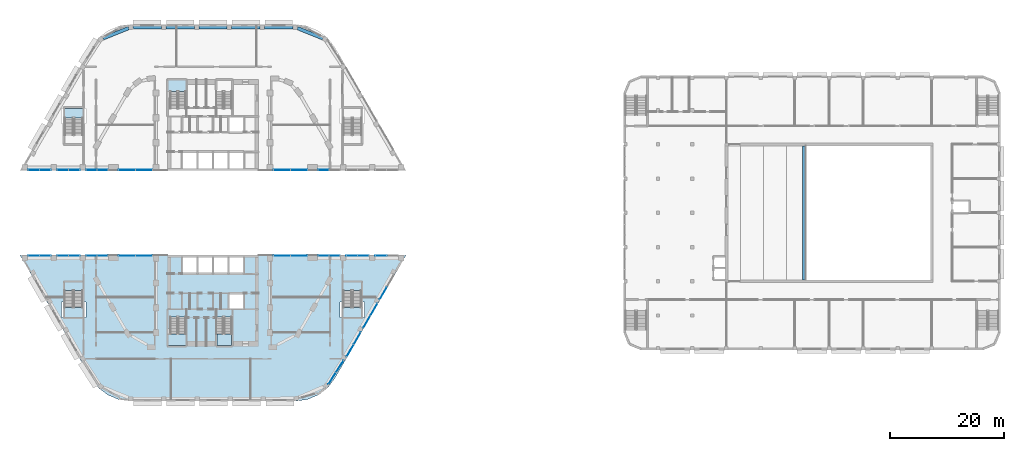
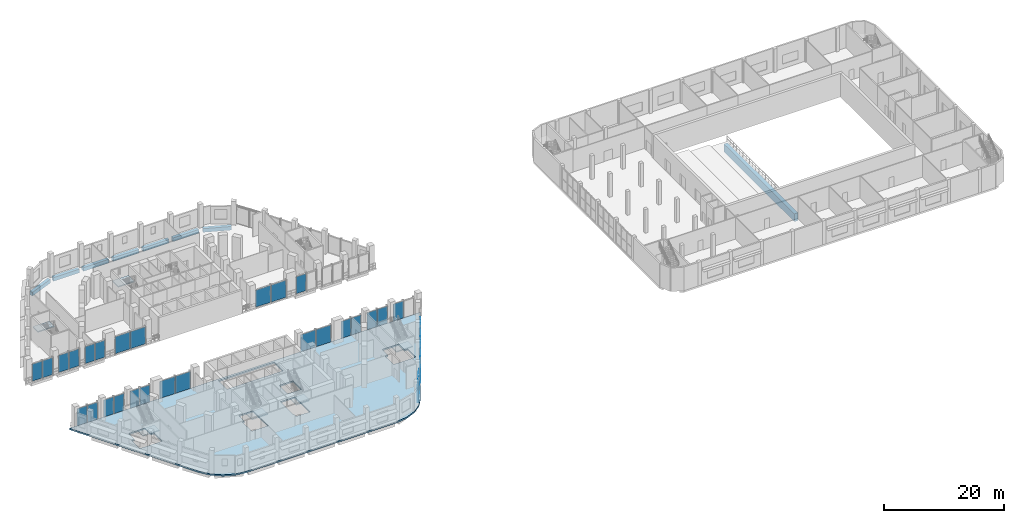
# One storey, part 12 of 45: 33 plates, 8 beams, 7 slabs, 24 elements without a shape of their own.
"""IFC4 building model written with IfcOpenShell, lengths in metres."""

from ifc_helpers import new_model, si_unit, direction, frame, origin, origin_2d, place, context, subcontext, project, spatial, polyline, rectangle, outline, extrude, material, layer, layer_set, material_profile, profile_set, type_object, element, aggregate, save


model = new_model("IFC4")

# Units and contexts
model_context = context("Model", 3, precision=1e-05, world=origin(), true_north=direction((0.0, 1.0)))
body_context = subcontext(model_context, "Body", "Model", "MODEL_VIEW")
ifc_project = project(units=[si_unit("LENGTHUNIT", "METRE"), si_unit("AREAUNIT", "SQUARE_METRE"), si_unit("VOLUMEUNIT", "CUBIC_METRE"), si_unit("PLANEANGLEUNIT", "RADIAN"), si_unit("MASSUNIT", "GRAM", prefix="KILO")], contexts=[model_context])

# Site, building, storey
site_placement = place(None, origin())
site = spatial("IfcSite", under=ifc_project, at=site_placement, CompositionType="ELEMENT")
building_placement = place(site_placement, origin())
building = spatial("IfcBuilding", under=site, at=building_placement, Name="Nakaniwa Court", CompositionType="ELEMENT")
storey_placement = place(building_placement, frame((0.0, 0.0, 6.60009765625)))
storey = spatial("IfcBuildingStorey", under=building, at=storey_placement, Name="L01", CompositionType="ELEMENT", Elevation=6.60009765625)

# Beams
ifc_material_1 = material(Name="Concrete C100/115", Category="concrete")
ifc_material_profile_1 = material_profile(ifc_material_1, rectangle(XDim=0.60009765625, YDim=0.75, at=origin_2d()), Name="Concrete C100/115 RC 600x750 ring beam")
ifc_profile_set_1 = profile_set([ifc_material_profile_1], Name="Concrete C100/115")
beam_type_1 = type_object("IfcBeamType", Name="Concrete C100/115 RC 600x750 ring beam", PredefinedType="BEAM", material=ifc_profile_set_1)
beam_1_placement = place(storey_placement, frame((65.212646484375, 112.39453125, -0.675048828125), z_axis=(-0.926515861433, -0.376255708945, 0.0), x_axis=(0.376255708945, -0.926515861433, 0.0)))
element("IfcBeam", 1, at=beam_1_placement, inside=storey, type_object=beam_type_1, Name="RING BEAM", PredefinedType="BEAM", context=body_context, shape_type="SweptSolid", body=[
    extrude(rectangle(XDim=0.60009765625, YDim=0.75, at=origin_2d()), origin(), (0.0, 0.0, 1.0), 4.857421875),
])
beam_2_placement = place(storey_placement, frame((99.276123046875, 110.575439453125, -0.675048828125), z_axis=(-0.926771165267, 0.375626419771, 0.0), x_axis=(-0.375626419771, -0.926771165267, 0.0)))
element("IfcBeam", 2, at=beam_2_placement, inside=storey, type_object=beam_type_1, Name="RING BEAM", PredefinedType="BEAM", context=body_context, shape_type="SweptSolid", body=[
    extrude(rectangle(XDim=0.60009765625, YDim=0.75, at=origin_2d()), origin(), (0.0, 0.0, 1.0), 4.8251953125),
])
beam_3_placement = place(storey_placement, frame((94.00439453125, 112.550048828125, -0.675048828125), z_axis=(-1.0, 0.0, 0.0), x_axis=(0.0, -1.0, 0.0)))
element("IfcBeam", 3, at=beam_3_placement, inside=storey, type_object=beam_type_1, Name="RING BEAM", PredefinedType="BEAM", context=body_context, shape_type="SweptSolid", body=[
    extrude(rectangle(XDim=0.60009765625, YDim=0.75, at=origin_2d()), origin(), (0.0, 0.0, 1.0), 4.9619140625),
])
beam_4_placement = place(storey_placement, frame((88.24267578125, 112.550048828125, -0.675048828125), z_axis=(-1.0, 0.0, 0.0), x_axis=(0.0, -1.0, 0.0)))
element("IfcBeam", 4, at=beam_4_placement, inside=storey, type_object=beam_type_1, Name="RING BEAM", PredefinedType="BEAM", context=body_context, shape_type="SweptSolid", body=[
    extrude(rectangle(XDim=0.60009765625, YDim=0.75, at=origin_2d()), origin(), (0.0, 0.0, 1.0), 4.961669921875),
])
beam_5_placement = place(storey_placement, frame((82.48095703125, 112.550048828125, -0.675048828125), z_axis=(-1.0, 0.0, 0.0), x_axis=(0.0, -1.0, 0.0)))
element("IfcBeam", 5, at=beam_5_placement, inside=storey, type_object=beam_type_1, Name="RING BEAM", PredefinedType="BEAM", context=body_context, shape_type="SweptSolid", body=[
    extrude(rectangle(XDim=0.60009765625, YDim=0.75, at=origin_2d()), origin(), (0.0, 0.0, 1.0), 4.9619140625),
])
beam_6_placement = place(storey_placement, frame((76.718994140625, 112.550048828125, -0.675048828125), z_axis=(-1.0, 0.0, 0.0), x_axis=(0.0, -1.0, 0.0)))
element("IfcBeam", 6, at=beam_6_placement, inside=storey, type_object=beam_type_1, Name="RING BEAM", PredefinedType="BEAM", context=body_context, shape_type="SweptSolid", body=[
    extrude(rectangle(XDim=0.60009765625, YDim=0.75, at=origin_2d()), origin(), (0.0, 0.0, 1.0), 4.961669921875),
])
beam_7_placement = place(storey_placement, frame((70.95751953125, 112.550048828125, -0.675048828125), z_axis=(-1.0, 0.0, 0.0), x_axis=(0.0, -1.0, 0.0)))
element("IfcBeam", 7, at=beam_7_placement, inside=storey, type_object=beam_type_1, Name="RING BEAM", PredefinedType="BEAM", context=body_context, shape_type="SweptSolid", body=[
    extrude(rectangle(XDim=0.60009765625, YDim=0.75, at=origin_2d()), origin(), (0.0, 0.0, 1.0), 4.958251953125),
])
ifc_material_2 = material(Name="Concrete C50/60", Category="concrete")
ifc_material_profile_2 = material_profile(ifc_material_2, rectangle(XDim=0.699951171875, YDim=1.60009765625, at=origin_2d()), Name="RC 700x1600")
ifc_profile_set_2 = profile_set([ifc_material_profile_2], Name="Concrete C50/60")
beam_type_2 = type_object("IfcBeamType", Name="Tier front beam RC 700x1600 C50/60", PredefinedType="BEAM", material=ifc_profile_set_2)
beam_8_placement = place(storey_placement, frame((183.64990234375, 68.25, -2.5), z_axis=(0.0, 1.0, 0.0), x_axis=(-1.0, 0.0, 0.0)))
element("IfcBeam", 8, at=beam_8_placement, inside=storey, type_object=beam_type_2, Name="Tier front beam L01", PredefinedType="BEAM", context=body_context, shape_type="SweptSolid", body=[
    extrude(rectangle(XDim=0.699951171875, YDim=1.60009765625, at=origin_2d()), origin(), (0.0, 0.0, 1.0), 23.5),
])

# Slab
ifc_layer_1 = layer(ifc_material_1, 0.300048828125)
ifc_layer_set_1 = layer_set([ifc_layer_1], Name="Concrete C100/115")
slab_type_1 = type_object("IfcSlabType", Name="Concrete C100/115 post tensioned floor slab 300", PredefinedType="FLOOR", material=ifc_layer_set_1)
slab_1_placement = place(storey_placement, frame((0.0, 0.0, -0.300048828125)))
element("IfcSlab", 9, at=slab_1_placement, inside=storey, type_object=slab_type_1, Name="FLOOR SLAB", PredefinedType="FLOOR", context=body_context, shape_type="SweptSolid", body=[
    extrude(outline(polyline([(101.362060546875, 51.0), (113.832763671875, 72.60009765625), (46.167236328125, 72.60009765625), (58.637939453125, 51.0), (59.909423828125, 49.343017578125), (61.566162109375, 48.07177734375), (63.49560546875, 47.272705078125), (65.566162109375, 47.0), (94.433837890625, 47.0), (96.50439453125, 47.272705078125), (98.433837890625, 48.07177734375), (100.090576171875, 49.343017578125), (101.362060546875, 51.0)]), holes=[polyline([(72.0849609375, 59.764892578125), (72.0849609375, 56.68505859375), (75.264892578125, 56.68505859375), (75.264892578125, 59.764892578125), (75.22509765625, 59.764892578125), (75.22509765625, 61.7099609375), (72.47509765625, 61.7099609375), (72.47509765625, 59.764892578125), (72.0849609375, 59.764892578125)]), polyline([(53.93505859375, 61.675048828125), (53.93505859375, 61.635009765625), (57.215087890625, 61.635009765625), (57.215087890625, 61.675048828125), (57.72509765625, 61.675048828125), (57.72509765625, 64.375), (57.215087890625, 64.375), (57.215087890625, 64.4150390625), (57.125, 64.4150390625), (57.125, 66.360107421875), (53.97509765625, 66.360107421875), (53.97509765625, 64.4150390625), (53.93505859375, 64.4150390625), (53.93505859375, 64.375), (53.425048828125, 64.375), (53.425048828125, 61.675048828125), (53.93505859375, 61.675048828125)]), polyline([(77.300048828125, 69.300048828125), (80.0, 69.300048828125), (82.699951171875, 69.300048828125), (85.39990234375, 69.300048828125), (85.39990234375, 72.199951171875), (82.699951171875, 72.199951171875), (80.0, 72.199951171875), (77.300048828125, 72.199951171875), (74.60009765625, 72.199951171875), (74.60009765625, 69.300048828125), (77.300048828125, 69.300048828125)]), polyline([(80.52490234375, 57.324951171875), (80.635009765625, 57.324951171875), (80.635009765625, 56.68505859375), (83.31494140625, 56.68505859375), (83.31494140625, 59.764892578125), (83.27490234375, 59.764892578125), (83.27490234375, 61.7099609375), (80.52490234375, 61.7099609375), (80.52490234375, 57.324951171875)]), polyline([(102.784912109375, 61.675048828125), (102.784912109375, 61.635009765625), (106.06494140625, 61.635009765625), (106.06494140625, 61.675048828125), (106.574951171875, 61.675048828125), (106.574951171875, 64.375), (106.06494140625, 64.375), (106.06494140625, 64.4150390625), (105.97509765625, 64.4150390625), (105.97509765625, 66.360107421875), (102.824951171875, 66.360107421875), (102.824951171875, 64.4150390625), (102.784912109375, 64.4150390625), (102.784912109375, 64.375), (102.27490234375, 64.375), (102.27490234375, 61.675048828125), (102.784912109375, 61.675048828125)]), polyline([(85.39990234375, 63.10009765625), (85.39990234375, 65.89990234375), (82.699951171875, 65.89990234375), (82.699951171875, 63.10009765625), (85.39990234375, 63.10009765625)])]), origin(), (0.0, 0.0, 1.0), 0.300048828125),
])

# Curtain wall, plates
ifc_material_3 = material(Name="Black anodised aluminium frame with dark low-E laminated double glazing", Category="aluminium")
ifc_layer_2 = layer(ifc_material_3, 0.199951171875)
ifc_layer_set_2 = layer_set([ifc_layer_2], Name="Black anodised aluminium frame with dark low-E laminated double glazing")
curtain_wall_type_1 = type_object("IfcCurtainWallType", Name="Podium unitised curtain wall", PredefinedType="NOTDEFINED", material=ifc_layer_set_2)
curtain_wall_1_placement = place(storey_placement, origin())
curtain_wall_1 = element("IfcCurtainWall", 10, at=curtain_wall_1_placement, inside=storey, type_object=curtain_wall_type_1, Name="L01 curtain wall CW1 00", PredefinedType="NOTDEFINED")
ifc_material_4 = material(Name="Dark toughened glass", Category="glass")
ifc_layer_3 = layer(ifc_material_4, 0.008, Name="Outer pane")
ifc_material_5 = material(Name="Argon filled cavity")
ifc_layer_4 = layer(ifc_material_5, 0.016, Name="Cavity")
ifc_material_6 = material(Name="Dark laminated safety glass", Category="glass")
ifc_layer_5 = layer(ifc_material_6, 0.008, Name="Inner pane")
ifc_layer_set_3 = layer_set([ifc_layer_3, ifc_layer_4, ifc_layer_5], Name="Dark low-E laminated double glazing")
plate_type_1 = type_object("IfcPlateType", Name="Podium unitised curtain wall glass panel", PredefinedType="CURTAIN_PANEL", material=ifc_layer_set_3)
plate_1_placement = place(storey_placement, frame((104.056640625, 55.8671875, 0.0498046875), z_axis=(0.0, 0.0, 1.0), x_axis=(0.499979299736, 0.866037354758, 0.0)))
plate_1 = element("IfcPlate", 11, at=plate_1_placement, type_object=plate_type_1, Name="CW1 panel 1.1", PredefinedType="CURTAIN_PANEL", context=body_context, shape_type="SweptSolid", body=[
    extrude(rectangle(XDim=2.40771484375, YDim=0.031982421875, at=origin_2d()), origin(), (0.0, 0.0, 1.0), 3.5),
])
plate_2_placement = place(storey_placement, frame((105.29296875, 58.008544921875, 0.0498046875), z_axis=(0.0, 0.0, 1.0), x_axis=(0.499979299736, 0.866037354758, 0.0)))
plate_2 = element("IfcPlate", 12, at=plate_2_placement, type_object=plate_type_1, Name="CW1 panel 2.1", PredefinedType="CURTAIN_PANEL", context=body_context, shape_type="SweptSolid", body=[
    extrude(rectangle(XDim=2.40771484375, YDim=0.031982421875, at=origin_2d()), origin(), (0.0, 0.0, 1.0), 3.5),
])
aggregate(curtain_wall_1, [plate_1, plate_2])

curtain_wall_2_placement = place(storey_placement, origin())
curtain_wall_2 = element("IfcCurtainWall", 13, at=curtain_wall_2_placement, inside=storey, type_object=curtain_wall_type_1, Name="L01 curtain wall CW1 01", PredefinedType="NOTDEFINED")
plate_3_placement = place(storey_placement, frame((106.957763671875, 60.89208984375, 0.0498046875), z_axis=(0.0, 0.0, 1.0), x_axis=(0.499987941889, 0.866032365426, 0.0)))
plate_3 = element("IfcPlate", 14, at=plate_3_placement, type_object=plate_type_1, Name="CW1 panel 1.1", PredefinedType="CURTAIN_PANEL", context=body_context, shape_type="SweptSolid", body=[
    extrude(rectangle(XDim=2.40771484375, YDim=0.031982421875, at=origin_2d()), origin(), (0.0, 0.0, 1.0), 3.5),
])
plate_4_placement = place(storey_placement, frame((108.194091796875, 63.033447265625, 0.0498046875), z_axis=(0.0, 0.0, 1.0), x_axis=(0.499987941889, 0.866032365426, 0.0)))
plate_4 = element("IfcPlate", 15, at=plate_4_placement, type_object=plate_type_1, Name="CW1 panel 2.1", PredefinedType="CURTAIN_PANEL", context=body_context, shape_type="SweptSolid", body=[
    extrude(rectangle(XDim=2.40771484375, YDim=0.031982421875, at=origin_2d()), origin(), (0.0, 0.0, 1.0), 3.5),
])
aggregate(curtain_wall_2, [plate_3, plate_4])

# Curtain wall, plate
curtain_wall_3_placement = place(storey_placement, origin())
curtain_wall_3 = element("IfcCurtainWall", 16, at=curtain_wall_3_placement, inside=storey, type_object=curtain_wall_type_1, Name="L01 curtain wall CW1 02", PredefinedType="NOTDEFINED")
plate_5_placement = place(storey_placement, frame((109.85888671875, 65.9169921875, 0.0498046875), z_axis=(0.0, 0.0, 1.0), x_axis=(0.500002911009, 0.866023723106, 0.0)))
plate_5 = element("IfcPlate", 17, at=plate_5_placement, type_object=plate_type_1, Name="CW1 panel 1.1", PredefinedType="CURTAIN_PANEL", context=body_context, shape_type="SweptSolid", body=[
    extrude(rectangle(XDim=2.40771484375, YDim=0.031982421875, at=origin_2d()), origin(), (0.0, 0.0, 1.0), 3.5),
])
aggregate(curtain_wall_3, [plate_5])

# Curtain wall, plates
curtain_wall_4_placement = place(storey_placement, origin())
curtain_wall_4 = element("IfcCurtainWall", 18, at=curtain_wall_4_placement, inside=storey, type_object=curtain_wall_type_1, Name="L01 curtain wall CW1 26", PredefinedType="NOTDEFINED")
plate_6_placement = place(storey_placement, frame((100.89794921875, 50.982177734375, 0.0498046875), z_axis=(0.0, 0.0, 1.0), x_axis=(0.534596725914, 0.845107295343, 0.0)))
plate_6 = element("IfcPlate", 19, at=plate_6_placement, type_object=plate_type_1, Name="CW1 panel 1.1", PredefinedType="CURTAIN_PANEL", context=body_context, shape_type="SweptSolid", body=[
    extrude(rectangle(XDim=2.413330078125, YDim=0.031982421875, at=origin_2d()), origin(), (0.0, 0.0, 1.0), 3.5),
])
plate_7_placement = place(storey_placement, frame((102.222900390625, 53.07666015625, 0.0498046875), z_axis=(0.0, 0.0, 1.0), x_axis=(0.534596725914, 0.845107295343, 0.0)))
plate_7 = element("IfcPlate", 20, at=plate_7_placement, type_object=plate_type_1, Name="CW1 panel 2.1", PredefinedType="CURTAIN_PANEL", context=body_context, shape_type="SweptSolid", body=[
    extrude(rectangle(XDim=2.413330078125, YDim=0.031982421875, at=origin_2d()), origin(), (0.0, 0.0, 1.0), 3.5),
])
aggregate(curtain_wall_4, [plate_6, plate_7])

# Curtain wall, plate
ifc_layer_6 = layer(ifc_material_3, 0.199951171875)
ifc_layer_set_4 = layer_set([ifc_layer_6], Name="Black anodised aluminium frame with dark low-E laminated double glazing")
curtain_wall_type_2 = type_object("IfcCurtainWallType", Name="Portal side curtain wall", PredefinedType="NOTDEFINED", material=ifc_layer_set_4)
curtain_wall_5_placement = place(storey_placement, origin())
curtain_wall_5 = element("IfcCurtainWall", 21, at=curtain_wall_5_placement, inside=storey, type_object=curtain_wall_type_2, Name="L01 curtain wall CW5 04", PredefinedType="NOTDEFINED")
ifc_layer_7 = layer(ifc_material_4, 0.009, Name="Outer pane")
ifc_layer_8 = layer(ifc_material_5, 0.016, Name="Cavity")
ifc_layer_9 = layer(ifc_material_6, 0.009, Name="Inner pane")
ifc_layer_set_5 = layer_set([ifc_layer_7, ifc_layer_8, ifc_layer_9], Name="Dark low-E laminated double glazing")
plate_type_2 = type_object("IfcPlateType", Name="Portal side curtain wall glass panel", PredefinedType="CURTAIN_PANEL", material=ifc_layer_set_5)
plate_8_placement = place(storey_placement, frame((109.447509765625, 72.5, 0.06494140625), z_axis=(0.0, 0.0, 1.0), x_axis=(-1.0, 0.0, 0.0)))
plate_8 = element("IfcPlate", 22, at=plate_8_placement, type_object=plate_type_2, Name="CW5 panel 2.1", PredefinedType="CURTAIN_PANEL", context=body_context, shape_type="SweptSolid", body=[
    extrude(rectangle(XDim=1.93505859375, YDim=0.033935546875, at=origin_2d()), origin(), (0.0, 0.0, 1.0), 3.469970703125),
])
aggregate(curtain_wall_5, [plate_8])

# Curtain wall, plates
curtain_wall_6_placement = place(storey_placement, origin())
curtain_wall_6 = element("IfcCurtainWall", 23, at=curtain_wall_6_placement, inside=storey, type_object=curtain_wall_type_2, Name="L01 curtain wall CW5 05", PredefinedType="NOTDEFINED")
plate_9_placement = place(storey_placement, frame((106.370849609375, 72.5, 0.06494140625), z_axis=(0.0, 0.0, 1.0), x_axis=(-1.0, 0.0, 0.0)))
plate_9 = element("IfcPlate", 24, at=plate_9_placement, type_object=plate_type_2, Name="CW5 panel 1.1", PredefinedType="CURTAIN_PANEL", context=body_context, shape_type="SweptSolid", body=[
    extrude(rectangle(XDim=1.9345703125, YDim=0.033935546875, at=origin_2d()), origin(), (0.0, 0.0, 1.0), 3.469970703125),
])
plate_10_placement = place(storey_placement, frame((104.361328125, 72.5, 0.06494140625), z_axis=(0.0, 0.0, 1.0), x_axis=(-1.0, 0.0, 0.0)))
plate_10 = element("IfcPlate", 25, at=plate_10_placement, type_object=plate_type_2, Name="CW5 panel 2.1", PredefinedType="CURTAIN_PANEL", context=body_context, shape_type="SweptSolid", body=[
    extrude(rectangle(XDim=1.9345703125, YDim=0.033935546875, at=origin_2d()), origin(), (0.0, 0.0, 1.0), 3.469970703125),
])
aggregate(curtain_wall_6, [plate_9, plate_10])

curtain_wall_7_placement = place(storey_placement, origin())
curtain_wall_7 = element("IfcCurtainWall", 26, at=curtain_wall_7_placement, inside=storey, type_object=curtain_wall_type_2, Name="L01 curtain wall CW5 06", PredefinedType="NOTDEFINED")
plate_11_placement = place(storey_placement, frame((101.31494140625, 72.5, 0.06494140625), z_axis=(0.0, 0.0, 1.0), x_axis=(-1.0, 0.0, 0.0)))
plate_11 = element("IfcPlate", 27, at=plate_11_placement, type_object=plate_type_2, Name="CW5 panel 1.1", PredefinedType="CURTAIN_PANEL", context=body_context, shape_type="SweptSolid", body=[
    extrude(rectangle(XDim=1.8740234375, YDim=0.033935546875, at=origin_2d()), origin(), (0.0, 0.0, 1.0), 3.469970703125),
])
plate_12_placement = place(storey_placement, frame((99.365966796875, 72.5, 0.06494140625), z_axis=(0.0, 0.0, 1.0), x_axis=(-1.0, 0.0, 0.0)))
plate_12 = element("IfcPlate", 28, at=plate_12_placement, type_object=plate_type_2, Name="CW5 panel 2.1", PredefinedType="CURTAIN_PANEL", context=body_context, shape_type="SweptSolid", body=[
    extrude(rectangle(XDim=1.8740234375, YDim=0.033935546875, at=origin_2d()), origin(), (0.0, 0.0, 1.0), 3.469970703125),
])
aggregate(curtain_wall_7, [plate_11, plate_12])

curtain_wall_8_placement = place(storey_placement, origin())
curtain_wall_8 = element("IfcCurtainWall", 29, at=curtain_wall_8_placement, inside=storey, type_object=curtain_wall_type_2, Name="L01 curtain wall CW5 07", PredefinedType="NOTDEFINED")
plate_13_placement = place(storey_placement, frame((95.039306640625, 72.5, 0.06494140625), z_axis=(0.0, 0.0, 1.0), x_axis=(-1.0, 0.0, 0.0)))
plate_13 = element("IfcPlate", 30, at=plate_13_placement, type_object=plate_type_2, Name="CW5 panel 1.1", PredefinedType="CURTAIN_PANEL", context=body_context, shape_type="SweptSolid", body=[
    extrude(rectangle(XDim=2.8955078125, YDim=0.033935546875, at=origin_2d()), origin(), (0.0, 0.0, 1.0), 3.469970703125),
])
plate_14_placement = place(storey_placement, frame((92.06884765625, 72.5, 0.06494140625), z_axis=(0.0, 0.0, 1.0), x_axis=(-1.0, 0.0, 0.0)))
plate_14 = element("IfcPlate", 31, at=plate_14_placement, type_object=plate_type_2, Name="CW5 panel 2.1", PredefinedType="CURTAIN_PANEL", context=body_context, shape_type="SweptSolid", body=[
    extrude(rectangle(XDim=2.8955078125, YDim=0.033935546875, at=origin_2d()), origin(), (0.0, 0.0, 1.0), 3.469970703125),
])
aggregate(curtain_wall_8, [plate_13, plate_14])

curtain_wall_9_placement = place(storey_placement, origin())
curtain_wall_9 = element("IfcCurtainWall", 32, at=curtain_wall_9_placement, inside=storey, type_object=curtain_wall_type_2, Name="L01 curtain wall CW5 08", PredefinedType="NOTDEFINED")
plate_15_placement = place(storey_placement, frame((67.93115234375, 72.5, 0.06494140625), z_axis=(0.0, 0.0, 1.0), x_axis=(-1.0, 0.0, 0.0)))
plate_15 = element("IfcPlate", 33, at=plate_15_placement, type_object=plate_type_2, Name="CW5 panel 1.1", PredefinedType="CURTAIN_PANEL", context=body_context, shape_type="SweptSolid", body=[
    extrude(rectangle(XDim=2.8955078125, YDim=0.033935546875, at=origin_2d()), origin(), (0.0, 0.0, 1.0), 3.469970703125),
])
plate_16_placement = place(storey_placement, frame((64.960693359375, 72.5, 0.06494140625), z_axis=(0.0, 0.0, 1.0), x_axis=(-1.0, 0.0, 0.0)))
plate_16 = element("IfcPlate", 34, at=plate_16_placement, type_object=plate_type_2, Name="CW5 panel 2.1", PredefinedType="CURTAIN_PANEL", context=body_context, shape_type="SweptSolid", body=[
    extrude(rectangle(XDim=2.8955078125, YDim=0.033935546875, at=origin_2d()), origin(), (0.0, 0.0, 1.0), 3.469970703125),
])
aggregate(curtain_wall_9, [plate_15, plate_16])

curtain_wall_10_placement = place(storey_placement, origin())
curtain_wall_10 = element("IfcCurtainWall", 35, at=curtain_wall_10_placement, inside=storey, type_object=curtain_wall_type_2, Name="L01 curtain wall CW5 09", PredefinedType="NOTDEFINED")
plate_17_placement = place(storey_placement, frame((60.634033203125, 72.5, 0.06494140625), z_axis=(0.0, 0.0, 1.0), x_axis=(-1.0, 0.0, 0.0)))
plate_17 = element("IfcPlate", 36, at=plate_17_placement, type_object=plate_type_2, Name="CW5 panel 1.1", PredefinedType="CURTAIN_PANEL", context=body_context, shape_type="SweptSolid", body=[
    extrude(rectangle(XDim=1.8740234375, YDim=0.033935546875, at=origin_2d()), origin(), (0.0, 0.0, 1.0), 3.469970703125),
])
plate_18_placement = place(storey_placement, frame((58.68505859375, 72.5, 0.06494140625), z_axis=(0.0, 0.0, 1.0), x_axis=(-1.0, 0.0, 0.0)))
plate_18 = element("IfcPlate", 37, at=plate_18_placement, type_object=plate_type_2, Name="CW5 panel 2.1", PredefinedType="CURTAIN_PANEL", context=body_context, shape_type="SweptSolid", body=[
    extrude(rectangle(XDim=1.8740234375, YDim=0.033935546875, at=origin_2d()), origin(), (0.0, 0.0, 1.0), 3.469970703125),
])
aggregate(curtain_wall_10, [plate_17, plate_18])

curtain_wall_11_placement = place(storey_placement, origin())
curtain_wall_11 = element("IfcCurtainWall", 38, at=curtain_wall_11_placement, inside=storey, type_object=curtain_wall_type_2, Name="L01 curtain wall CW5 10", PredefinedType="NOTDEFINED")
plate_19_placement = place(storey_placement, frame((55.638671875, 72.5, 0.06494140625), z_axis=(0.0, 0.0, 1.0), x_axis=(-1.0, 0.0, 0.0)))
plate_19 = element("IfcPlate", 39, at=plate_19_placement, type_object=plate_type_2, Name="CW5 panel 1.1", PredefinedType="CURTAIN_PANEL", context=body_context, shape_type="SweptSolid", body=[
    extrude(rectangle(XDim=1.9345703125, YDim=0.033935546875, at=origin_2d()), origin(), (0.0, 0.0, 1.0), 3.469970703125),
])
plate_20_placement = place(storey_placement, frame((53.629150390625, 72.5, 0.06494140625), z_axis=(0.0, 0.0, 1.0), x_axis=(-1.0, 0.0, 0.0)))
plate_20 = element("IfcPlate", 40, at=plate_20_placement, type_object=plate_type_2, Name="CW5 panel 2.1", PredefinedType="CURTAIN_PANEL", context=body_context, shape_type="SweptSolid", body=[
    extrude(rectangle(XDim=1.9345703125, YDim=0.033935546875, at=origin_2d()), origin(), (0.0, 0.0, 1.0), 3.469970703125),
])
aggregate(curtain_wall_11, [plate_19, plate_20])

curtain_wall_12_placement = place(storey_placement, origin())
curtain_wall_12 = element("IfcCurtainWall", 41, at=curtain_wall_12_placement, inside=storey, type_object=curtain_wall_type_2, Name="L01 curtain wall CW5 11", PredefinedType="NOTDEFINED")
plate_21_placement = place(storey_placement, frame((50.552490234375, 72.5, 0.06494140625), z_axis=(0.0, 0.0, 1.0), x_axis=(-1.0, 0.0, 0.0)))
plate_21 = element("IfcPlate", 42, at=plate_21_placement, type_object=plate_type_2, Name="CW5 panel 1.1", PredefinedType="CURTAIN_PANEL", context=body_context, shape_type="SweptSolid", body=[
    extrude(rectangle(XDim=1.93505859375, YDim=0.033935546875, at=origin_2d()), origin(), (0.0, 0.0, 1.0), 3.469970703125),
])
plate_22_placement = place(storey_placement, frame((48.54248046875, 72.5, 0.06494140625), z_axis=(0.0, 0.0, 1.0), x_axis=(-1.0, 0.0, 0.0)))
plate_22 = element("IfcPlate", 43, at=plate_22_placement, type_object=plate_type_2, Name="CW5 panel 2.1", PredefinedType="CURTAIN_PANEL", context=body_context, shape_type="SweptSolid", body=[
    extrude(rectangle(XDim=1.93505859375, YDim=0.033935546875, at=origin_2d()), origin(), (0.0, 0.0, 1.0), 3.469970703125),
])
aggregate(curtain_wall_12, [plate_21, plate_22])

curtain_wall_13_placement = place(storey_placement, origin())
curtain_wall_13 = element("IfcCurtainWall", 44, at=curtain_wall_13_placement, inside=storey, type_object=curtain_wall_type_2, Name="L01 curtain wall CW5 31", PredefinedType="NOTDEFINED")
plate_23_placement = place(storey_placement, frame((48.54248046875, 87.5, 0.06494140625), z_axis=(0.0, 0.0, 1.0), x_axis=(1.0, 0.0, 0.0)))
plate_23 = element("IfcPlate", 45, at=plate_23_placement, type_object=plate_type_2, Name="CW5 panel 1.1", PredefinedType="CURTAIN_PANEL", context=body_context, shape_type="SweptSolid", body=[
    extrude(rectangle(XDim=1.93505859375, YDim=0.033935546875, at=origin_2d()), origin(), (0.0, 0.0, 1.0), 3.469970703125),
])
plate_24_placement = place(storey_placement, frame((50.552490234375, 87.5, 0.06494140625), z_axis=(0.0, 0.0, 1.0), x_axis=(1.0, 0.0, 0.0)))
plate_24 = element("IfcPlate", 46, at=plate_24_placement, type_object=plate_type_2, Name="CW5 panel 2.1", PredefinedType="CURTAIN_PANEL", context=body_context, shape_type="SweptSolid", body=[
    extrude(rectangle(XDim=1.93505859375, YDim=0.033935546875, at=origin_2d()), origin(), (0.0, 0.0, 1.0), 3.469970703125),
])
aggregate(curtain_wall_13, [plate_23, plate_24])

curtain_wall_14_placement = place(storey_placement, origin())
curtain_wall_14 = element("IfcCurtainWall", 47, at=curtain_wall_14_placement, inside=storey, type_object=curtain_wall_type_2, Name="L01 curtain wall CW5 32", PredefinedType="NOTDEFINED")
plate_25_placement = place(storey_placement, frame((53.629150390625, 87.5, 0.06494140625), z_axis=(0.0, 0.0, 1.0), x_axis=(1.0, 0.0, 0.0)))
plate_25 = element("IfcPlate", 48, at=plate_25_placement, type_object=plate_type_2, Name="CW5 panel 1.1", PredefinedType="CURTAIN_PANEL", context=body_context, shape_type="SweptSolid", body=[
    extrude(rectangle(XDim=1.9345703125, YDim=0.033935546875, at=origin_2d()), origin(), (0.0, 0.0, 1.0), 3.469970703125),
])
plate_26_placement = place(storey_placement, frame((55.638671875, 87.5, 0.06494140625), z_axis=(0.0, 0.0, 1.0), x_axis=(1.0, 0.0, 0.0)))
plate_26 = element("IfcPlate", 49, at=plate_26_placement, type_object=plate_type_2, Name="CW5 panel 2.1", PredefinedType="CURTAIN_PANEL", context=body_context, shape_type="SweptSolid", body=[
    extrude(rectangle(XDim=1.9345703125, YDim=0.033935546875, at=origin_2d()), origin(), (0.0, 0.0, 1.0), 3.469970703125),
])
aggregate(curtain_wall_14, [plate_25, plate_26])

curtain_wall_15_placement = place(storey_placement, origin())
curtain_wall_15 = element("IfcCurtainWall", 50, at=curtain_wall_15_placement, inside=storey, type_object=curtain_wall_type_2, Name="L01 curtain wall CW5 33", PredefinedType="NOTDEFINED")
plate_27_placement = place(storey_placement, frame((58.68505859375, 87.5, 0.06494140625), z_axis=(0.0, 0.0, 1.0), x_axis=(1.0, 0.0, 0.0)))
plate_27 = element("IfcPlate", 51, at=plate_27_placement, type_object=plate_type_2, Name="CW5 panel 1.1", PredefinedType="CURTAIN_PANEL", context=body_context, shape_type="SweptSolid", body=[
    extrude(rectangle(XDim=1.8740234375, YDim=0.033935546875, at=origin_2d()), origin(), (0.0, 0.0, 1.0), 3.469970703125),
])
plate_28_placement = place(storey_placement, frame((60.634033203125, 87.5, 0.06494140625), z_axis=(0.0, 0.0, 1.0), x_axis=(1.0, 0.0, 0.0)))
plate_28 = element("IfcPlate", 52, at=plate_28_placement, type_object=plate_type_2, Name="CW5 panel 2.1", PredefinedType="CURTAIN_PANEL", context=body_context, shape_type="SweptSolid", body=[
    extrude(rectangle(XDim=1.8740234375, YDim=0.033935546875, at=origin_2d()), origin(), (0.0, 0.0, 1.0), 3.469970703125),
])
aggregate(curtain_wall_15, [plate_27, plate_28])

curtain_wall_16_placement = place(storey_placement, origin())
curtain_wall_16 = element("IfcCurtainWall", 53, at=curtain_wall_16_placement, inside=storey, type_object=curtain_wall_type_2, Name="L01 curtain wall CW5 34", PredefinedType="NOTDEFINED")
plate_29_placement = place(storey_placement, frame((64.960693359375, 87.5, 0.06494140625), z_axis=(0.0, 0.0, 1.0), x_axis=(1.0, 0.0, 0.0)))
plate_29 = element("IfcPlate", 54, at=plate_29_placement, type_object=plate_type_2, Name="CW5 panel 1.1", PredefinedType="CURTAIN_PANEL", context=body_context, shape_type="SweptSolid", body=[
    extrude(rectangle(XDim=2.8955078125, YDim=0.033935546875, at=origin_2d()), origin(), (0.0, 0.0, 1.0), 3.469970703125),
])
plate_30_placement = place(storey_placement, frame((67.93115234375, 87.5, 0.06494140625), z_axis=(0.0, 0.0, 1.0), x_axis=(1.0, 0.0, 0.0)))
plate_30 = element("IfcPlate", 55, at=plate_30_placement, type_object=plate_type_2, Name="CW5 panel 2.1", PredefinedType="CURTAIN_PANEL", context=body_context, shape_type="SweptSolid", body=[
    extrude(rectangle(XDim=2.8955078125, YDim=0.033935546875, at=origin_2d()), origin(), (0.0, 0.0, 1.0), 3.469970703125),
])
aggregate(curtain_wall_16, [plate_29, plate_30])

curtain_wall_17_placement = place(storey_placement, origin())
curtain_wall_17 = element("IfcCurtainWall", 56, at=curtain_wall_17_placement, inside=storey, type_object=curtain_wall_type_2, Name="L01 curtain wall CW5 35", PredefinedType="NOTDEFINED")
plate_31_placement = place(storey_placement, frame((92.06884765625, 87.5, 0.06494140625), z_axis=(0.0, 0.0, 1.0), x_axis=(1.0, 0.0, 0.0)))
plate_31 = element("IfcPlate", 57, at=plate_31_placement, type_object=plate_type_2, Name="CW5 panel 1.1", PredefinedType="CURTAIN_PANEL", context=body_context, shape_type="SweptSolid", body=[
    extrude(rectangle(XDim=2.8955078125, YDim=0.033935546875, at=origin_2d()), origin(), (0.0, 0.0, 1.0), 3.469970703125),
])
plate_32_placement = place(storey_placement, frame((95.039306640625, 87.5, 0.06494140625), z_axis=(0.0, 0.0, 1.0), x_axis=(1.0, 0.0, 0.0)))
plate_32 = element("IfcPlate", 58, at=plate_32_placement, type_object=plate_type_2, Name="CW5 panel 2.1", PredefinedType="CURTAIN_PANEL", context=body_context, shape_type="SweptSolid", body=[
    extrude(rectangle(XDim=2.8955078125, YDim=0.033935546875, at=origin_2d()), origin(), (0.0, 0.0, 1.0), 3.469970703125),
])
aggregate(curtain_wall_17, [plate_31, plate_32])

# Curtain wall, plate
curtain_wall_18_placement = place(storey_placement, origin())
curtain_wall_18 = element("IfcCurtainWall", 59, at=curtain_wall_18_placement, inside=storey, type_object=curtain_wall_type_2, Name="L01 curtain wall CW5 36", PredefinedType="NOTDEFINED")
plate_33_placement = place(storey_placement, frame((99.365966796875, 87.5, 0.06494140625), z_axis=(0.0, 0.0, 1.0), x_axis=(1.0, 0.0, 0.0)))
plate_33 = element("IfcPlate", 60, at=plate_33_placement, type_object=plate_type_2, Name="CW5 panel 1.1", PredefinedType="CURTAIN_PANEL", context=body_context, shape_type="SweptSolid", body=[
    extrude(rectangle(XDim=1.8740234375, YDim=0.033935546875, at=origin_2d()), origin(), (0.0, 0.0, 1.0), 3.469970703125),
])
aggregate(curtain_wall_18, [plate_33])

# Stair, slab
ifc_material_7 = material(Name="Concrete C80/100", Category="concrete")
stair_type_1 = type_object("IfcStairType", Name="Dog leg stair 1300 wide 26 risers", PredefinedType="HALF_TURN_STAIR", material=ifc_material_7)
stair_1_placement = place(storey_placement, origin())
stair_1 = element("IfcStair", 61, at=stair_1_placement, inside=storey, type_object=stair_type_1, Name="L01 Stair ST1", PredefinedType="HALF_TURN_STAIR")
ifc_layer_10 = layer(ifc_material_7, 0.199951171875)
ifc_layer_set_6 = layer_set([ifc_layer_10], Name="Concrete C80/100")
slab_type_2 = type_object("IfcSlabType", Name="Stair landing concrete", PredefinedType="LANDING", material=ifc_layer_set_6)
slab_2_placement = place(storey_placement, frame((0.0, 0.0, 2.199951171875)))
slab_2 = element("IfcSlab", 62, at=slab_2_placement, type_object=slab_type_2, Name="ST1 landing 1", PredefinedType="LANDING", context=body_context, shape_type="SweptSolid", body=[
    extrude(outline(polyline([(75.22509765625, 101.27490234375), (75.22509765625, 103.27490234375), (72.125, 103.27490234375), (72.125, 101.27490234375), (75.22509765625, 101.27490234375)])), origin(), (0.0, 0.0, 1.0), 0.199951171875),
])
aggregate(stair_1, [slab_2])

stair_2_placement = place(storey_placement, origin())
stair_2 = element("IfcStair", 63, at=stair_2_placement, inside=storey, type_object=stair_type_1, Name="L01 Stair ST3", PredefinedType="HALF_TURN_STAIR")
slab_3_placement = place(storey_placement, frame((0.0, 0.0, 2.199951171875)))
slab_3 = element("IfcSlab", 64, at=slab_3_placement, type_object=slab_type_2, Name="ST3 landing 1", PredefinedType="LANDING", context=body_context, shape_type="SweptSolid", body=[
    extrude(outline(polyline([(75.22509765625, 56.72509765625), (75.22509765625, 58.72509765625), (72.125, 58.72509765625), (72.125, 56.72509765625), (75.22509765625, 56.72509765625)])), origin(), (0.0, 0.0, 1.0), 0.199951171875),
])
aggregate(stair_2, [slab_3])

stair_3_placement = place(storey_placement, origin())
stair_3 = element("IfcStair", 65, at=stair_3_placement, inside=storey, type_object=stair_type_1, Name="L01 Stair ST4", PredefinedType="HALF_TURN_STAIR")
slab_4_placement = place(storey_placement, frame((0.0, 0.0, 2.199951171875)))
slab_4 = element("IfcSlab", 66, at=slab_4_placement, type_object=slab_type_2, Name="ST4 landing 1", PredefinedType="LANDING", context=body_context, shape_type="SweptSolid", body=[
    extrude(outline(polyline([(83.27490234375, 56.72509765625), (83.27490234375, 58.72509765625), (80.675048828125, 58.72509765625), (80.675048828125, 56.72509765625), (83.27490234375, 56.72509765625)])), origin(), (0.0, 0.0, 1.0), 0.199951171875),
])
aggregate(stair_3, [slab_4])

stair_type_2 = type_object("IfcStairType", Name="Dog leg stair 1500 wide 26 risers", PredefinedType="HALF_TURN_STAIR", material=ifc_material_7)
stair_4_placement = place(storey_placement, origin())
stair_4 = element("IfcStair", 67, at=stair_4_placement, inside=storey, type_object=stair_type_2, Name="L01 Stair SS2", PredefinedType="HALF_TURN_STAIR")
slab_5_placement = place(storey_placement, frame((0.0, 0.0, 2.199951171875)))
slab_5 = element("IfcSlab", 68, at=slab_5_placement, type_object=slab_type_2, Name="SS2 landing 1", PredefinedType="LANDING", context=body_context, shape_type="SweptSolid", body=[
    extrude(outline(polyline([(57.175048828125, 96.625), (57.175048828125, 98.324951171875), (53.97509765625, 98.324951171875), (53.97509765625, 96.625), (57.175048828125, 96.625)])), origin(), (0.0, 0.0, 1.0), 0.199951171875),
])
aggregate(stair_4, [slab_5])

stair_5_placement = place(storey_placement, origin())
stair_5 = element("IfcStair", 69, at=stair_5_placement, inside=storey, type_object=stair_type_2, Name="L01 Stair SS3", PredefinedType="HALF_TURN_STAIR")
slab_6_placement = place(storey_placement, frame((0.0, 0.0, 2.199951171875)))
slab_6 = element("IfcSlab", 70, at=slab_6_placement, type_object=slab_type_2, Name="SS3 landing 1", PredefinedType="LANDING", context=body_context, shape_type="SweptSolid", body=[
    extrude(outline(polyline([(106.02490234375, 61.675048828125), (106.02490234375, 63.375), (102.824951171875, 63.375), (102.824951171875, 61.675048828125), (106.02490234375, 61.675048828125)])), origin(), (0.0, 0.0, 1.0), 0.199951171875),
])
aggregate(stair_5, [slab_6])

stair_6_placement = place(storey_placement, origin())
stair_6 = element("IfcStair", 71, at=stair_6_placement, inside=storey, type_object=stair_type_2, Name="L01 Stair SS4", PredefinedType="HALF_TURN_STAIR")
slab_7_placement = place(storey_placement, frame((0.0, 0.0, 2.199951171875)))
slab_7 = element("IfcSlab", 72, at=slab_7_placement, type_object=slab_type_2, Name="SS4 landing 1", PredefinedType="LANDING", context=body_context, shape_type="SweptSolid", body=[
    extrude(outline(polyline([(57.175048828125, 61.675048828125), (57.175048828125, 63.375), (53.97509765625, 63.375), (53.97509765625, 61.675048828125), (57.175048828125, 61.675048828125)])), origin(), (0.0, 0.0, 1.0), 0.199951171875),
])
aggregate(stair_6, [slab_7])

save(model, "model.ifc")
